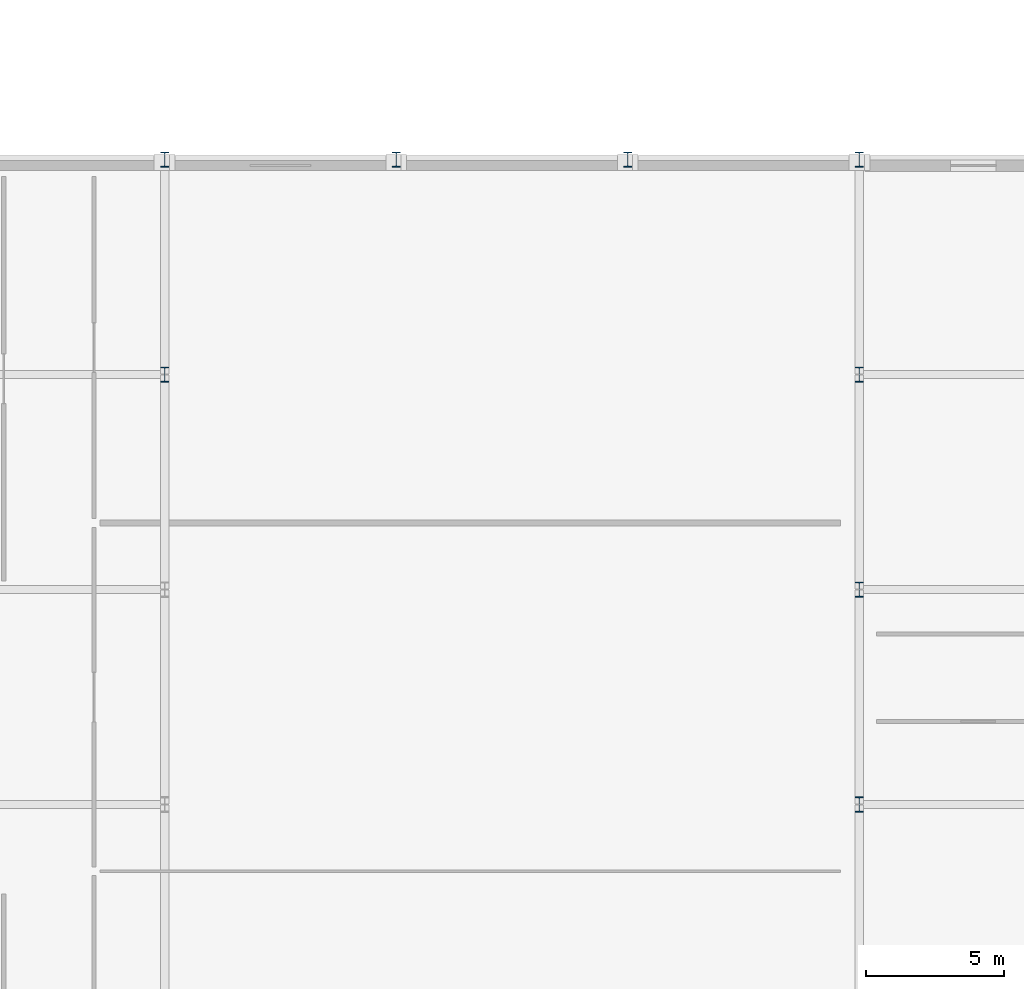
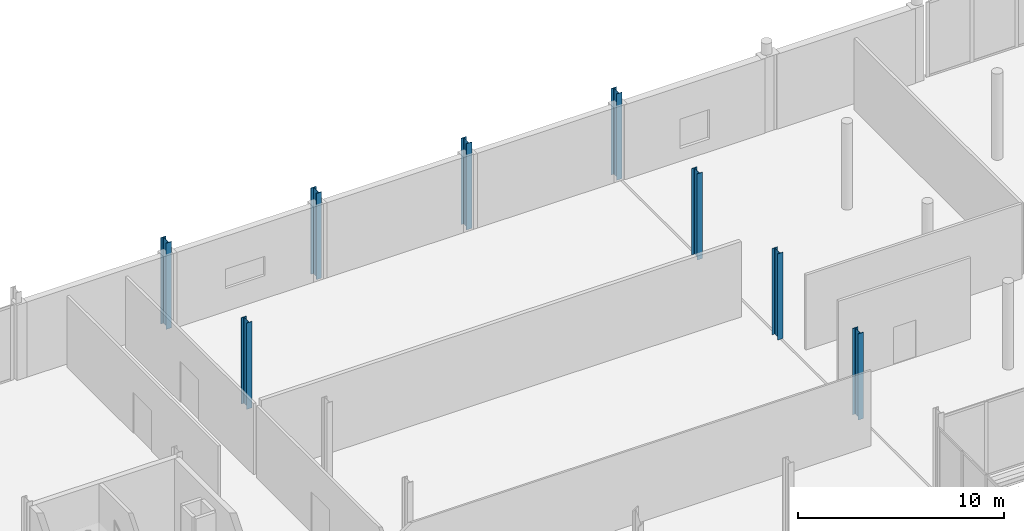
# One storey, part 11 of 105: 8 columns.
"""IFC4 building model written with IfcOpenShell, lengths in metres."""

from ifc_helpers import new_model, si_unit, direction, frame, origin, origin_2d, place, context, subcontext, project, spatial, i_section, extrude, material, material_profile, profile_set, type_object, element, save


model = new_model("IFC4")

# Units and contexts
model_context = context("Model", 3, precision=1e-05, world=origin(), true_north=direction((0.0, 1.0)))
body_context = subcontext(model_context, "Body", "Model", "MODEL_VIEW")
ifc_project = project(units=[si_unit("LENGTHUNIT", "METRE"), si_unit("AREAUNIT", "SQUARE_METRE"), si_unit("VOLUMEUNIT", "CUBIC_METRE"), si_unit("PLANEANGLEUNIT", "RADIAN"), si_unit("MASSUNIT", "GRAM", prefix="KILO")], contexts=[model_context])

# Site, building, storey
site_placement = place(None, origin())
site = spatial("IfcSite", under=ifc_project, at=site_placement, CompositionType="ELEMENT")
building_placement = place(site_placement, origin())
building = spatial("IfcBuilding", under=site, at=building_placement, Name="Nabrawat Pavilion Hospital", CompositionType="ELEMENT")
storey_placement = place(building_placement, frame((0.0, 0.0, 5.10009765625)))
storey = spatial("IfcBuildingStorey", under=building, at=storey_placement, Name="L01", CompositionType="ELEMENT", Elevation=5.10009765625)

# Columns
ifc_material = material(Name="Steel S355", Category="steel")
ifc_material_profile = material_profile(ifc_material, i_section(OverallWidth=0.300048828125, OverallDepth=0.550048828125, WebThickness=0.014892578125, FlangeThickness=0.029052734375, FilletRadius=0.027099609375, at=origin_2d()), Name="HEB 550")
ifc_profile_set = profile_set([ifc_material_profile], Name="Steel S355")
column_type = type_object("IfcColumnType", Name="Composite Steel Column HEB 550", PredefinedType="COLUMN", material=ifc_profile_set)
for number, where, z_axis, x_axis, name in (
    (1, (33.60009765625, 109.199951171875, 0.0), (0.0, 0.0, 1.0), (1.0, 0.0, 0.0), "L01 Structural Column G-5-Q"),
    (2, (33.60009765625, 117.0, 0.0), (0.0, 0.0, 1.0), (1.0, 0.0, 0.0), "L01 Structural Column G-5-R"),
    (3, (42.0, 117.0, 0.0), (0.0, 0.0, 1.0), (1.0, 0.0, 0.0), "L01 Structural Column G-6-R"),
    (4, (50.39990234375, 117.0, 0.0), (0.0, 0.0, 1.0), (1.0, 0.0, 0.0), "L01 Structural Column G-7-R"),
    (5, (58.800048828125, 93.60009765625, 0.0), (0.0, 0.0, 1.0), (1.0, 0.0, 0.0), "L01 Structural Column G-8A-N"),
    (6, (58.800048828125, 101.39990234375, 0.0), (0.0, 0.0, 1.0), (1.0, 0.0, 0.0), "L01 Structural Column G-8A-P"),
    (7, (58.800048828125, 109.199951171875, 0.0), (0.0, 0.0, 1.0), (1.0, 0.0, 0.0), "L01 Structural Column G-8A-Q"),
    (8, (58.800048828125, 117.0, 0.0), (0.0, 0.0, 1.0), (1.0, 0.0, 0.0), "L01 Structural Column G-8A-R"),
):
    element("IfcColumn", number, at=place(storey_placement, frame(where, z_axis=z_axis, x_axis=x_axis)), inside=storey, type_object=column_type, Name=name, PredefinedType="COLUMN", context=body_context, shape_type="SweptSolid", body=[
        extrude(i_section(OverallWidth=0.300048828125, OverallDepth=0.550048828125, WebThickness=0.014892578125, FlangeThickness=0.029052734375, FilletRadius=0.027099609375, at=origin_2d()), origin(), (0.0, 0.0, 1.0), 5.099853515625),
    ])

save(model, "model.ifc")
